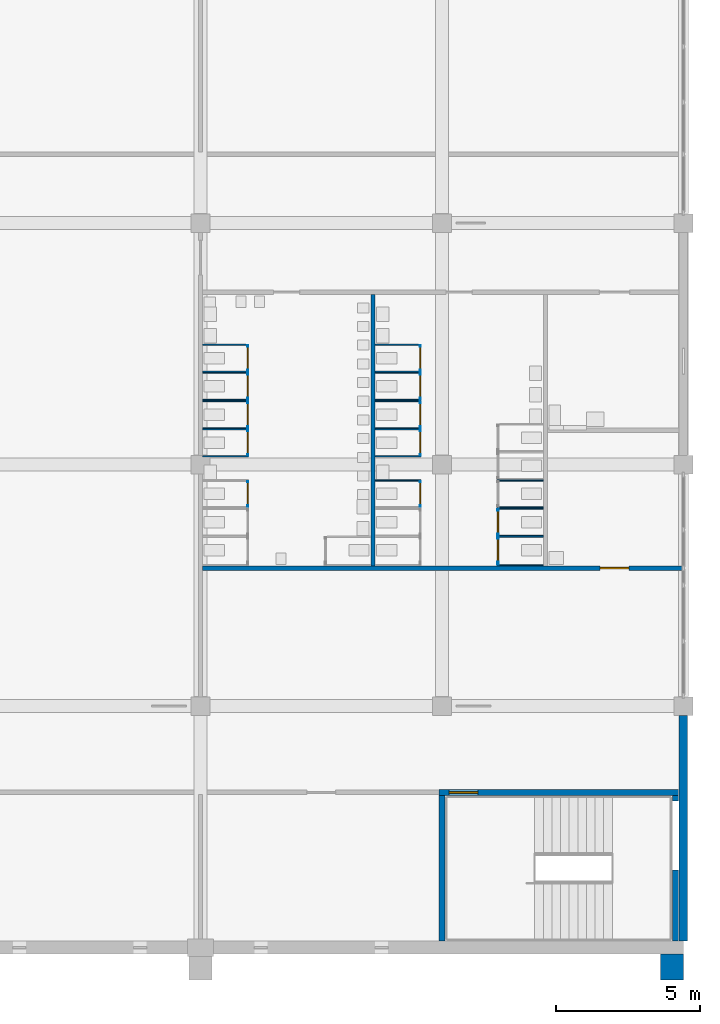
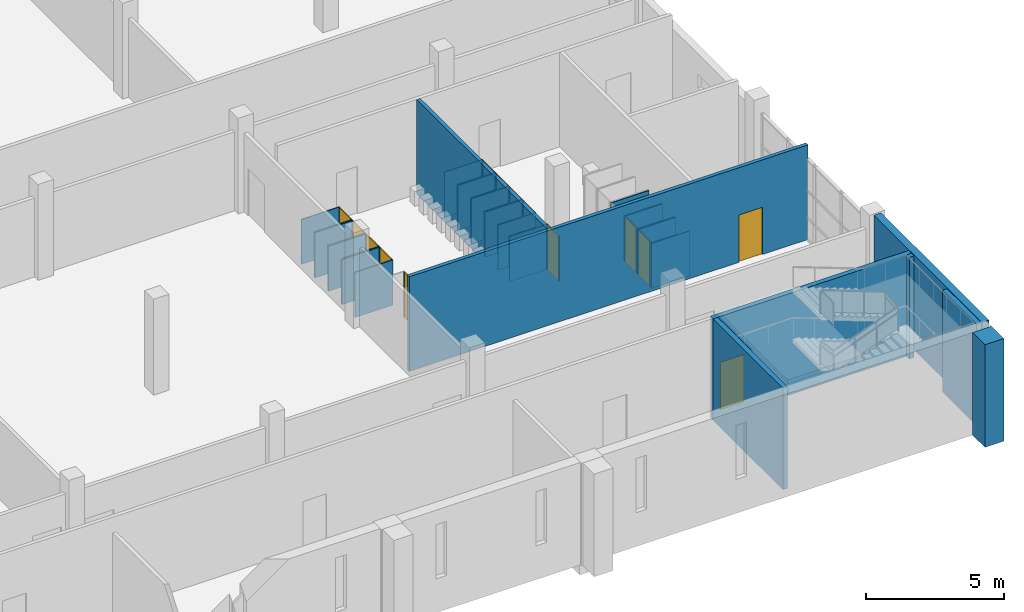
# One storey, part 33 of 64: 43 walls, 14 doors, 14 openings.
"""IFC4 building model written with IfcOpenShell, lengths in metres."""

from ifc_helpers import new_model, si_unit, direction, frame, frame_2d, origin, place, context, subcontext, project, spatial, rectangle, extrude, material, layer, layer_set, type_object, element, fill, save


model = new_model("IFC4")

# Units and contexts
model_context = context("Model", 3, precision=1e-05, world=origin(), true_north=direction((0.0, 1.0)))
body_context = subcontext(model_context, "Body", "Model", "MODEL_VIEW")
ifc_project = project(units=[si_unit("LENGTHUNIT", "METRE"), si_unit("AREAUNIT", "SQUARE_METRE"), si_unit("VOLUMEUNIT", "CUBIC_METRE"), si_unit("PLANEANGLEUNIT", "RADIAN"), si_unit("MASSUNIT", "GRAM", prefix="KILO")], contexts=[model_context])

# Site, building, storey
site_placement = place(None, origin())
site = spatial("IfcSite", under=ifc_project, at=site_placement, CompositionType="ELEMENT")
building_placement = place(site_placement, origin())
building = spatial("IfcBuilding", under=site, at=building_placement, Name="Rulbaag Community and Learning Centre", CompositionType="ELEMENT")
storey_placement = place(building_placement, frame((0.0, 0.0, 5.39990234375)))
storey = spatial("IfcBuildingStorey", under=building, at=storey_placement, Name="L01", CompositionType="ELEMENT", Elevation=5.39990234375)

# Wall, opening, door
ifc_material_1 = material(Name="High pressure laminate", Category="wood")
ifc_layer_1 = layer(ifc_material_1, 0.0400390625)
ifc_layer_set_1 = layer_set([ifc_layer_1], Name="CP-40")
wall_type_1 = type_object("IfcWallType", Name="CP-40", PredefinedType="PARTITIONING", material=ifc_layer_set_1)
wall_1_placement = place(storey_placement, frame((152.85009765625, 15.330078125, 0.0), z_axis=(0.0, 0.0, 1.0), x_axis=(0.0, 1.0, 0.0)))
wall_1 = element("IfcWall", 1, at=wall_1_placement, inside=storey, type_object=wall_type_1, Name="Cubicle partition", PredefinedType="PARTITIONING", context=body_context, shape_type="SweptSolid", body=[
    extrude(rectangle(XDim=0.89990234375, YDim=0.0400390625, at=frame_2d((0.449951171875, 0.0))), origin(), (0.0, 0.0, 1.0), 2.0),
])
opening_1_placement = place(wall_1_placement, frame((0.050048828125, 0.0, 0.0)))
opening_1 = element("IfcOpeningElement", 2, at=opening_1_placement, cuts=wall_1, Name="Opening L01-D117", PredefinedType="OPENING", context=body_context, shape_type="SweptSolid", body=[
    extrude(rectangle(XDim=0.800048828125, YDim=2.0, at=frame_2d((0.39990234375, 1.0))), frame((0.0, 0.030029296875, 0.0), z_axis=(0.0, -1.0, 0.0), x_axis=(1.0, 0.0, 0.0)), (0.0, 0.0, 1.0), 0.06005859375),
])
door_type_1 = type_object("IfcDoorType", Name="DC-80", OperationType="SINGLE_SWING_LEFT", PredefinedType="DOOR", material=ifc_material_1)
door_1_placement = place(opening_1_placement, origin())
door_1 = element("IfcDoor", 3, at=door_1_placement, inside=storey, type_object=door_type_1, Name="Cubicle door", OperationType="SINGLE_SWING_LEFT", OverallHeight=2.0, OverallWidth=0.800048828125, PredefinedType="DOOR", context=body_context, shape_type="SweptSolid", body=[
    extrude(rectangle(XDim=0.800048828125, YDim=2.0, at=frame_2d((0.39990234375, 1.0))), frame((0.0, 0.019775390625, 0.0), z_axis=(0.0, -1.0, 0.0), x_axis=(1.0, 0.0, 0.0)), (0.0, 0.0, 1.0), 0.03955078125),
])
fill(opening_1, door_1)

# Walls
for number, where, z_axis, x_axis, name in (
    (4, (151.27490234375, 17.090087890625, 0.0), (0.0, 0.0, 1.0), (1.0, 0.0, 0.0), "Cubicle partition"),
    (5, (151.27490234375, 18.030029296875, 0.0), (0.0, 0.0, 1.0), (1.0, 0.0, 0.0), "Cubicle partition"),
):
    element("IfcWall", number, at=place(storey_placement, frame(where, z_axis=z_axis, x_axis=x_axis)), inside=storey, type_object=wall_type_1, Name=name, PredefinedType="PARTITIONING", context=body_context, shape_type="SweptSolid", body=[
        extrude(rectangle(XDim=1.59521484375, YDim=0.0400390625, at=frame_2d((0.797607421875, 0.0))), origin(), (0.0, 0.0, 1.0), 2.0),
    ])

# Wall, opening, door
wall_2_placement = place(storey_placement, frame((152.85009765625, 17.110107421875, 0.0), z_axis=(0.0, 0.0, 1.0), x_axis=(0.0, 1.0, 0.0)))
wall_2 = element("IfcWall", 6, at=wall_2_placement, inside=storey, type_object=wall_type_1, Name="Cubicle partition", PredefinedType="PARTITIONING", context=body_context, shape_type="SweptSolid", body=[
    extrude(rectangle(XDim=0.89990234375, YDim=0.0400390625, at=frame_2d((0.449951171875, 0.0))), origin(), (0.0, 0.0, 1.0), 2.0),
])
opening_2_placement = place(wall_2_placement, frame((0.050048828125, 0.0, 0.0)))
opening_2 = element("IfcOpeningElement", 7, at=opening_2_placement, cuts=wall_2, Name="Opening L01-D118", PredefinedType="OPENING", context=body_context, shape_type="SweptSolid", body=[
    extrude(rectangle(XDim=0.800048828125, YDim=2.0, at=frame_2d((0.39990234375, 1.0))), frame((0.0, 0.030029296875, 0.0), z_axis=(0.0, -1.0, 0.0), x_axis=(1.0, 0.0, 0.0)), (0.0, 0.0, 1.0), 0.06005859375),
])
door_2_placement = place(opening_2_placement, origin())
door_2 = element("IfcDoor", 8, at=door_2_placement, inside=storey, type_object=door_type_1, Name="Cubicle door", OperationType="SINGLE_SWING_LEFT", OverallHeight=2.0, OverallWidth=0.800048828125, PredefinedType="DOOR", context=body_context, shape_type="SweptSolid", body=[
    extrude(rectangle(XDim=0.800048828125, YDim=2.0, at=frame_2d((0.39990234375, 1.0))), frame((0.0, 0.019775390625, 0.0), z_axis=(0.0, -1.0, 0.0), x_axis=(1.0, 0.0, 0.0)), (0.0, 0.0, 1.0), 0.03955078125),
])
fill(opening_2, door_2)

# Walls
for number, where, z_axis, x_axis, name in (
    (9, (151.27490234375, 18.070068359375, 0.0), (0.0, 0.0, 1.0), (1.0, 0.0, 0.0), "Cubicle partition"),
    (10, (151.27490234375, 19.010009765625, 0.0), (0.0, 0.0, 1.0), (1.0, 0.0, 0.0), "Cubicle partition"),
):
    element("IfcWall", number, at=place(storey_placement, frame(where, z_axis=z_axis, x_axis=x_axis)), inside=storey, type_object=wall_type_1, Name=name, PredefinedType="PARTITIONING", context=body_context, shape_type="SweptSolid", body=[
        extrude(rectangle(XDim=1.59521484375, YDim=0.0400390625, at=frame_2d((0.797607421875, 0.0))), origin(), (0.0, 0.0, 1.0), 2.0),
    ])

# Wall, opening, door
wall_3_placement = place(storey_placement, frame((152.85009765625, 18.090087890625, 0.0), z_axis=(0.0, 0.0, 1.0), x_axis=(0.0, 1.0, 0.0)))
wall_3 = element("IfcWall", 11, at=wall_3_placement, inside=storey, type_object=wall_type_1, Name="Cubicle partition", PredefinedType="PARTITIONING", context=body_context, shape_type="SweptSolid", body=[
    extrude(rectangle(XDim=0.89990234375, YDim=0.0400390625, at=frame_2d((0.449951171875, 0.0))), origin(), (0.0, 0.0, 1.0), 2.0),
])
opening_3_placement = place(wall_3_placement, frame((0.050048828125, 0.0, 0.0)))
opening_3 = element("IfcOpeningElement", 12, at=opening_3_placement, cuts=wall_3, Name="Opening L01-D119", PredefinedType="OPENING", context=body_context, shape_type="SweptSolid", body=[
    extrude(rectangle(XDim=0.800048828125, YDim=2.0, at=frame_2d((0.39990234375, 1.0))), frame((0.0, 0.030029296875, 0.0), z_axis=(0.0, -1.0, 0.0), x_axis=(1.0, 0.0, 0.0)), (0.0, 0.0, 1.0), 0.06005859375),
])
door_3_placement = place(opening_3_placement, origin())
door_3 = element("IfcDoor", 13, at=door_3_placement, inside=storey, type_object=door_type_1, Name="Cubicle door", OperationType="SINGLE_SWING_LEFT", OverallHeight=2.0, OverallWidth=0.800048828125, PredefinedType="DOOR", context=body_context, shape_type="SweptSolid", body=[
    extrude(rectangle(XDim=0.800048828125, YDim=2.0, at=frame_2d((0.39990234375, 1.0))), frame((0.0, 0.019775390625, 0.0), z_axis=(0.0, -1.0, 0.0), x_axis=(1.0, 0.0, 0.0)), (0.0, 0.0, 1.0), 0.03955078125),
])
fill(opening_3, door_3)

# Walls
for number, where, z_axis, x_axis, name in (
    (14, (151.27490234375, 19.050048828125, 0.0), (0.0, 0.0, 1.0), (1.0, 0.0, 0.0), "Cubicle partition"),
    (15, (151.27490234375, 19.989990234375, 0.0), (0.0, 0.0, 1.0), (1.0, 0.0, 0.0), "Cubicle partition"),
):
    element("IfcWall", number, at=place(storey_placement, frame(where, z_axis=z_axis, x_axis=x_axis)), inside=storey, type_object=wall_type_1, Name=name, PredefinedType="PARTITIONING", context=body_context, shape_type="SweptSolid", body=[
        extrude(rectangle(XDim=1.59521484375, YDim=0.0400390625, at=frame_2d((0.797607421875, 0.0))), origin(), (0.0, 0.0, 1.0), 2.0),
    ])

# Wall, opening, door
wall_4_placement = place(storey_placement, frame((152.85009765625, 19.070068359375, 0.0), z_axis=(0.0, 0.0, 1.0), x_axis=(0.0, 1.0, 0.0)))
wall_4 = element("IfcWall", 16, at=wall_4_placement, inside=storey, type_object=wall_type_1, Name="Cubicle partition", PredefinedType="PARTITIONING", context=body_context, shape_type="SweptSolid", body=[
    extrude(rectangle(XDim=0.89990234375, YDim=0.0400390625, at=frame_2d((0.449951171875, 0.0))), origin(), (0.0, 0.0, 1.0), 2.0),
])
opening_4_placement = place(wall_4_placement, frame((0.050048828125, 0.0, 0.0)))
opening_4 = element("IfcOpeningElement", 17, at=opening_4_placement, cuts=wall_4, Name="Opening L01-D120", PredefinedType="OPENING", context=body_context, shape_type="SweptSolid", body=[
    extrude(rectangle(XDim=0.800048828125, YDim=2.0, at=frame_2d((0.39990234375, 1.0))), frame((0.0, 0.030029296875, 0.0), z_axis=(0.0, -1.0, 0.0), x_axis=(1.0, 0.0, 0.0)), (0.0, 0.0, 1.0), 0.06005859375),
])
door_4_placement = place(opening_4_placement, origin())
door_4 = element("IfcDoor", 18, at=door_4_placement, inside=storey, type_object=door_type_1, Name="Cubicle door", OperationType="SINGLE_SWING_LEFT", OverallHeight=2.0, OverallWidth=0.800048828125, PredefinedType="DOOR", context=body_context, shape_type="SweptSolid", body=[
    extrude(rectangle(XDim=0.800048828125, YDim=2.0, at=frame_2d((0.39990234375, 1.0))), frame((0.0, 0.019775390625, 0.0), z_axis=(0.0, -1.0, 0.0), x_axis=(1.0, 0.0, 0.0)), (0.0, 0.0, 1.0), 0.03955078125),
])
fill(opening_4, door_4)

# Walls
for number, where, z_axis, x_axis, name in (
    (19, (151.27490234375, 20.030029296875, 0.0), (0.0, 0.0, 1.0), (1.0, 0.0, 0.0), "Cubicle partition"),
    (20, (151.27490234375, 20.969970703125, 0.0), (0.0, 0.0, 1.0), (1.0, 0.0, 0.0), "Cubicle partition"),
):
    element("IfcWall", number, at=place(storey_placement, frame(where, z_axis=z_axis, x_axis=x_axis)), inside=storey, type_object=wall_type_1, Name=name, PredefinedType="PARTITIONING", context=body_context, shape_type="SweptSolid", body=[
        extrude(rectangle(XDim=1.59521484375, YDim=0.0400390625, at=frame_2d((0.797607421875, 0.0))), origin(), (0.0, 0.0, 1.0), 2.0),
    ])

# Wall, opening, door
wall_5_placement = place(storey_placement, frame((152.85009765625, 20.050048828125, 0.0), z_axis=(0.0, 0.0, 1.0), x_axis=(0.0, 1.0, 0.0)))
wall_5 = element("IfcWall", 21, at=wall_5_placement, inside=storey, type_object=wall_type_1, Name="Cubicle partition", PredefinedType="PARTITIONING", context=body_context, shape_type="SweptSolid", body=[
    extrude(rectangle(XDim=0.89990234375, YDim=0.0400390625, at=frame_2d((0.449951171875, 0.0))), origin(), (0.0, 0.0, 1.0), 2.0),
])
opening_5_placement = place(wall_5_placement, frame((0.050048828125, 0.0, 0.0)))
opening_5 = element("IfcOpeningElement", 22, at=opening_5_placement, cuts=wall_5, Name="Opening L01-D121", PredefinedType="OPENING", context=body_context, shape_type="SweptSolid", body=[
    extrude(rectangle(XDim=0.800048828125, YDim=2.0, at=frame_2d((0.39990234375, 1.0))), frame((0.0, 0.030029296875, 0.0), z_axis=(0.0, -1.0, 0.0), x_axis=(1.0, 0.0, 0.0)), (0.0, 0.0, 1.0), 0.06005859375),
])
door_5_placement = place(opening_5_placement, origin())
door_5 = element("IfcDoor", 23, at=door_5_placement, inside=storey, type_object=door_type_1, Name="Cubicle door", OperationType="SINGLE_SWING_LEFT", OverallHeight=2.0, OverallWidth=0.800048828125, PredefinedType="DOOR", context=body_context, shape_type="SweptSolid", body=[
    extrude(rectangle(XDim=0.800048828125, YDim=2.0, at=frame_2d((0.39990234375, 1.0))), frame((0.0, 0.019775390625, 0.0), z_axis=(0.0, -1.0, 0.0), x_axis=(1.0, 0.0, 0.0)), (0.0, 0.0, 1.0), 0.03955078125),
])
fill(opening_5, door_5)

# Wall
wall_6_placement = place(storey_placement, frame((157.27490234375, 16.25, 0.0), z_axis=(0.0, 0.0, 1.0), x_axis=(1.0, 0.0, 0.0)))
element("IfcWall", 24, at=wall_6_placement, inside=storey, type_object=wall_type_1, Name="Cubicle partition", PredefinedType="PARTITIONING", context=body_context, shape_type="SweptSolid", body=[
    extrude(rectangle(XDim=1.59521484375, YDim=0.0400390625, at=frame_2d((0.797607421875, 0.0))), origin(), (0.0, 0.0, 1.0), 2.0),
])

# Wall, opening, door
wall_7_placement = place(storey_placement, frame((158.85009765625, 15.330078125, 0.0), z_axis=(0.0, 0.0, 1.0), x_axis=(0.0, 1.0, 0.0)))
wall_7 = element("IfcWall", 25, at=wall_7_placement, inside=storey, type_object=wall_type_1, Name="Cubicle partition", PredefinedType="PARTITIONING", context=body_context, shape_type="SweptSolid", body=[
    extrude(rectangle(XDim=0.89990234375, YDim=0.0400390625, at=frame_2d((0.449951171875, 0.0))), origin(), (0.0, 0.0, 1.0), 2.0),
])
opening_6_placement = place(wall_7_placement, frame((0.050048828125, 0.0, 0.0)))
opening_6 = element("IfcOpeningElement", 26, at=opening_6_placement, cuts=wall_7, Name="Opening L01-D134", PredefinedType="OPENING", context=body_context, shape_type="SweptSolid", body=[
    extrude(rectangle(XDim=0.800048828125, YDim=2.0, at=frame_2d((0.39990234375, 1.0))), frame((0.0, 0.030029296875, 0.0), z_axis=(0.0, -1.0, 0.0), x_axis=(1.0, 0.0, 0.0)), (0.0, 0.0, 1.0), 0.06005859375),
])
door_6_placement = place(opening_6_placement, origin())
door_6 = element("IfcDoor", 27, at=door_6_placement, inside=storey, type_object=door_type_1, Name="Cubicle door", OperationType="SINGLE_SWING_LEFT", OverallHeight=2.0, OverallWidth=0.800048828125, PredefinedType="DOOR", context=body_context, shape_type="SweptSolid", body=[
    extrude(rectangle(XDim=0.800048828125, YDim=2.0, at=frame_2d((0.39990234375, 1.0))), frame((0.0, 0.019775390625, 0.0), z_axis=(0.0, -1.0, 0.0), x_axis=(1.0, 0.0, 0.0)), (0.0, 0.0, 1.0), 0.03955078125),
])
fill(opening_6, door_6)

# Walls
for number, where, z_axis, x_axis, name in (
    (28, (157.27490234375, 17.090087890625, 0.0), (0.0, 0.0, 1.0), (1.0, 0.0, 0.0), "Cubicle partition"),
    (29, (157.27490234375, 18.030029296875, 0.0), (0.0, 0.0, 1.0), (1.0, 0.0, 0.0), "Cubicle partition"),
):
    element("IfcWall", number, at=place(storey_placement, frame(where, z_axis=z_axis, x_axis=x_axis)), inside=storey, type_object=wall_type_1, Name=name, PredefinedType="PARTITIONING", context=body_context, shape_type="SweptSolid", body=[
        extrude(rectangle(XDim=1.59521484375, YDim=0.0400390625, at=frame_2d((0.797607421875, 0.0))), origin(), (0.0, 0.0, 1.0), 2.0),
    ])

# Wall, opening, door
wall_8_placement = place(storey_placement, frame((158.85009765625, 17.110107421875, 0.0), z_axis=(0.0, 0.0, 1.0), x_axis=(0.0, 1.0, 0.0)))
wall_8 = element("IfcWall", 30, at=wall_8_placement, inside=storey, type_object=wall_type_1, Name="Cubicle partition", PredefinedType="PARTITIONING", context=body_context, shape_type="SweptSolid", body=[
    extrude(rectangle(XDim=0.89990234375, YDim=0.0400390625, at=frame_2d((0.449951171875, 0.0))), origin(), (0.0, 0.0, 1.0), 2.0),
])
opening_7_placement = place(wall_8_placement, frame((0.050048828125, 0.0, 0.0)))
opening_7 = element("IfcOpeningElement", 31, at=opening_7_placement, cuts=wall_8, Name="Opening L01-D135", PredefinedType="OPENING", context=body_context, shape_type="SweptSolid", body=[
    extrude(rectangle(XDim=0.800048828125, YDim=2.0, at=frame_2d((0.39990234375, 1.0))), frame((0.0, 0.030029296875, 0.0), z_axis=(0.0, -1.0, 0.0), x_axis=(1.0, 0.0, 0.0)), (0.0, 0.0, 1.0), 0.06005859375),
])
door_7_placement = place(opening_7_placement, origin())
door_7 = element("IfcDoor", 32, at=door_7_placement, inside=storey, type_object=door_type_1, Name="Cubicle door", OperationType="SINGLE_SWING_LEFT", OverallHeight=2.0, OverallWidth=0.800048828125, PredefinedType="DOOR", context=body_context, shape_type="SweptSolid", body=[
    extrude(rectangle(XDim=0.800048828125, YDim=2.0, at=frame_2d((0.39990234375, 1.0))), frame((0.0, 0.019775390625, 0.0), z_axis=(0.0, -1.0, 0.0), x_axis=(1.0, 0.0, 0.0)), (0.0, 0.0, 1.0), 0.03955078125),
])
fill(opening_7, door_7)

# Walls
for number, where, z_axis, x_axis, name in (
    (33, (157.27490234375, 18.070068359375, 0.0), (0.0, 0.0, 1.0), (1.0, 0.0, 0.0), "Cubicle partition"),
    (34, (157.27490234375, 19.010009765625, 0.0), (0.0, 0.0, 1.0), (1.0, 0.0, 0.0), "Cubicle partition"),
):
    element("IfcWall", number, at=place(storey_placement, frame(where, z_axis=z_axis, x_axis=x_axis)), inside=storey, type_object=wall_type_1, Name=name, PredefinedType="PARTITIONING", context=body_context, shape_type="SweptSolid", body=[
        extrude(rectangle(XDim=1.59521484375, YDim=0.0400390625, at=frame_2d((0.797607421875, 0.0))), origin(), (0.0, 0.0, 1.0), 2.0),
    ])

# Wall, opening, door
wall_9_placement = place(storey_placement, frame((158.85009765625, 18.090087890625, 0.0), z_axis=(0.0, 0.0, 1.0), x_axis=(0.0, 1.0, 0.0)))
wall_9 = element("IfcWall", 35, at=wall_9_placement, inside=storey, type_object=wall_type_1, Name="Cubicle partition", PredefinedType="PARTITIONING", context=body_context, shape_type="SweptSolid", body=[
    extrude(rectangle(XDim=0.89990234375, YDim=0.0400390625, at=frame_2d((0.449951171875, 0.0))), origin(), (0.0, 0.0, 1.0), 2.0),
])
opening_8_placement = place(wall_9_placement, frame((0.050048828125, 0.0, 0.0)))
opening_8 = element("IfcOpeningElement", 36, at=opening_8_placement, cuts=wall_9, Name="Opening L01-D136", PredefinedType="OPENING", context=body_context, shape_type="SweptSolid", body=[
    extrude(rectangle(XDim=0.800048828125, YDim=2.0, at=frame_2d((0.39990234375, 1.0))), frame((0.0, 0.030029296875, 0.0), z_axis=(0.0, -1.0, 0.0), x_axis=(1.0, 0.0, 0.0)), (0.0, 0.0, 1.0), 0.06005859375),
])
door_8_placement = place(opening_8_placement, origin())
door_8 = element("IfcDoor", 37, at=door_8_placement, inside=storey, type_object=door_type_1, Name="Cubicle door", OperationType="SINGLE_SWING_LEFT", OverallHeight=2.0, OverallWidth=0.800048828125, PredefinedType="DOOR", context=body_context, shape_type="SweptSolid", body=[
    extrude(rectangle(XDim=0.800048828125, YDim=2.0, at=frame_2d((0.39990234375, 1.0))), frame((0.0, 0.019775390625, 0.0), z_axis=(0.0, -1.0, 0.0), x_axis=(1.0, 0.0, 0.0)), (0.0, 0.0, 1.0), 0.03955078125),
])
fill(opening_8, door_8)

# Walls
for number, where, z_axis, x_axis, name in (
    (38, (157.27490234375, 19.050048828125, 0.0), (0.0, 0.0, 1.0), (1.0, 0.0, 0.0), "Cubicle partition"),
    (39, (157.27490234375, 19.989990234375, 0.0), (0.0, 0.0, 1.0), (1.0, 0.0, 0.0), "Cubicle partition"),
):
    element("IfcWall", number, at=place(storey_placement, frame(where, z_axis=z_axis, x_axis=x_axis)), inside=storey, type_object=wall_type_1, Name=name, PredefinedType="PARTITIONING", context=body_context, shape_type="SweptSolid", body=[
        extrude(rectangle(XDim=1.59521484375, YDim=0.0400390625, at=frame_2d((0.797607421875, 0.0))), origin(), (0.0, 0.0, 1.0), 2.0),
    ])

# Wall, opening, door
wall_10_placement = place(storey_placement, frame((158.85009765625, 19.070068359375, 0.0), z_axis=(0.0, 0.0, 1.0), x_axis=(0.0, 1.0, 0.0)))
wall_10 = element("IfcWall", 40, at=wall_10_placement, inside=storey, type_object=wall_type_1, Name="Cubicle partition", PredefinedType="PARTITIONING", context=body_context, shape_type="SweptSolid", body=[
    extrude(rectangle(XDim=0.89990234375, YDim=0.0400390625, at=frame_2d((0.449951171875, 0.0))), origin(), (0.0, 0.0, 1.0), 2.0),
])
opening_9_placement = place(wall_10_placement, frame((0.050048828125, 0.0, 0.0)))
opening_9 = element("IfcOpeningElement", 41, at=opening_9_placement, cuts=wall_10, Name="Opening L01-D137", PredefinedType="OPENING", context=body_context, shape_type="SweptSolid", body=[
    extrude(rectangle(XDim=0.800048828125, YDim=2.0, at=frame_2d((0.39990234375, 1.0))), frame((0.0, 0.030029296875, 0.0), z_axis=(0.0, -1.0, 0.0), x_axis=(1.0, 0.0, 0.0)), (0.0, 0.0, 1.0), 0.06005859375),
])
door_9_placement = place(opening_9_placement, origin())
door_9 = element("IfcDoor", 42, at=door_9_placement, inside=storey, type_object=door_type_1, Name="Cubicle door", OperationType="SINGLE_SWING_LEFT", OverallHeight=2.0, OverallWidth=0.800048828125, PredefinedType="DOOR", context=body_context, shape_type="SweptSolid", body=[
    extrude(rectangle(XDim=0.800048828125, YDim=2.0, at=frame_2d((0.39990234375, 1.0))), frame((0.0, 0.019775390625, 0.0), z_axis=(0.0, -1.0, 0.0), x_axis=(1.0, 0.0, 0.0)), (0.0, 0.0, 1.0), 0.03955078125),
])
fill(opening_9, door_9)

# Walls
for number, where, z_axis, x_axis, name in (
    (43, (157.27490234375, 20.030029296875, 0.0), (0.0, 0.0, 1.0), (1.0, 0.0, 0.0), "Cubicle partition"),
    (44, (157.27490234375, 20.969970703125, 0.0), (0.0, 0.0, 1.0), (1.0, 0.0, 0.0), "Cubicle partition"),
):
    element("IfcWall", number, at=place(storey_placement, frame(where, z_axis=z_axis, x_axis=x_axis)), inside=storey, type_object=wall_type_1, Name=name, PredefinedType="PARTITIONING", context=body_context, shape_type="SweptSolid", body=[
        extrude(rectangle(XDim=1.59521484375, YDim=0.0400390625, at=frame_2d((0.797607421875, 0.0))), origin(), (0.0, 0.0, 1.0), 2.0),
    ])

# Wall, opening, door
wall_11_placement = place(storey_placement, frame((158.85009765625, 20.050048828125, 0.0), z_axis=(0.0, 0.0, 1.0), x_axis=(0.0, 1.0, 0.0)))
wall_11 = element("IfcWall", 45, at=wall_11_placement, inside=storey, type_object=wall_type_1, Name="Cubicle partition", PredefinedType="PARTITIONING", context=body_context, shape_type="SweptSolid", body=[
    extrude(rectangle(XDim=0.89990234375, YDim=0.0400390625, at=frame_2d((0.449951171875, 0.0))), origin(), (0.0, 0.0, 1.0), 2.0),
])
opening_10_placement = place(wall_11_placement, frame((0.050048828125, 0.0, 0.0)))
opening_10 = element("IfcOpeningElement", 46, at=opening_10_placement, cuts=wall_11, Name="Opening L01-D138", PredefinedType="OPENING", context=body_context, shape_type="SweptSolid", body=[
    extrude(rectangle(XDim=0.800048828125, YDim=2.0, at=frame_2d((0.39990234375, 1.0))), frame((0.0, 0.030029296875, 0.0), z_axis=(0.0, -1.0, 0.0), x_axis=(1.0, 0.0, 0.0)), (0.0, 0.0, 1.0), 0.06005859375),
])
door_10_placement = place(opening_10_placement, origin())
door_10 = element("IfcDoor", 47, at=door_10_placement, inside=storey, type_object=door_type_1, Name="Cubicle door", OperationType="SINGLE_SWING_LEFT", OverallHeight=2.0, OverallWidth=0.800048828125, PredefinedType="DOOR", context=body_context, shape_type="SweptSolid", body=[
    extrude(rectangle(XDim=0.800048828125, YDim=2.0, at=frame_2d((0.39990234375, 1.0))), frame((0.0, 0.019775390625, 0.0), z_axis=(0.0, -1.0, 0.0), x_axis=(1.0, 0.0, 0.0)), (0.0, 0.0, 1.0), 0.03955078125),
])
fill(opening_10, door_10)

# Walls
for number, where, z_axis, x_axis, name in (
    (48, (163.125, 13.294921875, 0.0), (0.0, 0.0, 1.0), (-1.0, 0.0, 0.0), "Cubicle partition"),
    (49, (163.125, 14.2900390625, 0.0), (0.0, 0.0, 1.0), (-1.0, 0.0, 0.0), "Cubicle partition"),
):
    element("IfcWall", number, at=place(storey_placement, frame(where, z_axis=z_axis, x_axis=x_axis)), inside=storey, type_object=wall_type_1, Name=name, PredefinedType="PARTITIONING", context=body_context, shape_type="SweptSolid", body=[
        extrude(rectangle(XDim=1.594970703125, YDim=0.0400390625, at=frame_2d((0.79736328125, 0.0))), origin(), (0.0, 0.0, 1.0), 2.0),
    ])

# Wall, opening, door
wall_12_placement = place(storey_placement, frame((161.550048828125, 13.31494140625, 0.0), z_axis=(0.0, 0.0, 1.0), x_axis=(0.0, 1.0, 0.0)))
wall_12 = element("IfcWall", 50, at=wall_12_placement, inside=storey, type_object=wall_type_1, Name="Cubicle partition", PredefinedType="PARTITIONING", context=body_context, shape_type="SweptSolid", body=[
    extrude(rectangle(XDim=0.955078125, YDim=0.0400390625, at=frame_2d((0.4775390625, 0.0))), origin(), (0.0, 0.0, 1.0), 2.0),
])
opening_11_placement = place(wall_12_placement, frame((0.10498046875, 0.0, 0.0)))
opening_11 = element("IfcOpeningElement", 51, at=opening_11_placement, cuts=wall_12, Name="Opening L01-D145", PredefinedType="OPENING", context=body_context, shape_type="SweptSolid", body=[
    extrude(rectangle(XDim=0.800048828125, YDim=2.0, at=frame_2d((0.39990234375, 1.0))), frame((0.0, 0.030029296875, 0.0), z_axis=(0.0, -1.0, 0.0), x_axis=(1.0, 0.0, 0.0)), (0.0, 0.0, 1.0), 0.06005859375),
])
door_11_placement = place(opening_11_placement, origin())
door_11 = element("IfcDoor", 52, at=door_11_placement, inside=storey, type_object=door_type_1, Name="Cubicle door", OperationType="SINGLE_SWING_LEFT", OverallHeight=2.0, OverallWidth=0.800048828125, PredefinedType="DOOR", context=body_context, shape_type="SweptSolid", body=[
    extrude(rectangle(XDim=0.800048828125, YDim=2.0, at=frame_2d((0.39990234375, 1.0))), frame((0.0, 0.019775390625, 0.0), z_axis=(0.0, -1.0, 0.0), x_axis=(1.0, 0.0, 0.0)), (0.0, 0.0, 1.0), 0.03955078125),
])
fill(opening_11, door_11)

# Walls
for number, where, z_axis, x_axis, name in (
    (53, (163.125, 14.330078125, 0.0), (0.0, 0.0, 1.0), (-1.0, 0.0, 0.0), "Cubicle partition"),
    (54, (163.125, 15.27001953125, 0.0), (0.0, 0.0, 1.0), (-1.0, 0.0, 0.0), "Cubicle partition"),
):
    element("IfcWall", number, at=place(storey_placement, frame(where, z_axis=z_axis, x_axis=x_axis)), inside=storey, type_object=wall_type_1, Name=name, PredefinedType="PARTITIONING", context=body_context, shape_type="SweptSolid", body=[
        extrude(rectangle(XDim=1.594970703125, YDim=0.0400390625, at=frame_2d((0.79736328125, 0.0))), origin(), (0.0, 0.0, 1.0), 2.0),
    ])

# Wall, opening, door
wall_13_placement = place(storey_placement, frame((161.550048828125, 14.35009765625, 0.0), z_axis=(0.0, 0.0, 1.0), x_axis=(0.0, 1.0, 0.0)))
wall_13 = element("IfcWall", 55, at=wall_13_placement, inside=storey, type_object=wall_type_1, Name="Cubicle partition", PredefinedType="PARTITIONING", context=body_context, shape_type="SweptSolid", body=[
    extrude(rectangle(XDim=0.89990234375, YDim=0.0400390625, at=frame_2d((0.449951171875, 0.0))), origin(), (0.0, 0.0, 1.0), 2.0),
])
opening_12_placement = place(wall_13_placement, frame((0.050048828125, 0.0, 0.0)))
opening_12 = element("IfcOpeningElement", 56, at=opening_12_placement, cuts=wall_13, Name="Opening L01-D146", PredefinedType="OPENING", context=body_context, shape_type="SweptSolid", body=[
    extrude(rectangle(XDim=0.800048828125, YDim=2.0, at=frame_2d((0.39990234375, 1.0))), frame((0.0, 0.030029296875, 0.0), z_axis=(0.0, -1.0, 0.0), x_axis=(1.0, 0.0, 0.0)), (0.0, 0.0, 1.0), 0.06005859375),
])
door_12_placement = place(opening_12_placement, origin())
door_12 = element("IfcDoor", 57, at=door_12_placement, inside=storey, type_object=door_type_1, Name="Cubicle door", OperationType="SINGLE_SWING_LEFT", OverallHeight=2.0, OverallWidth=0.800048828125, PredefinedType="DOOR", context=body_context, shape_type="SweptSolid", body=[
    extrude(rectangle(XDim=0.800048828125, YDim=2.0, at=frame_2d((0.39990234375, 1.0))), frame((0.0, 0.019775390625, 0.0), z_axis=(0.0, -1.0, 0.0), x_axis=(1.0, 0.0, 0.0)), (0.0, 0.0, 1.0), 0.03955078125),
])
fill(opening_12, door_12)

# Walls
for number, where, z_axis, x_axis, name in (
    (58, (163.125, 15.31005859375, 0.0), (0.0, 0.0, 1.0), (-1.0, 0.0, 0.0), "Cubicle partition"),
    (59, (163.125, 16.25, 0.0), (0.0, 0.0, 1.0), (-1.0, 0.0, 0.0), "Cubicle partition"),
):
    element("IfcWall", number, at=place(storey_placement, frame(where, z_axis=z_axis, x_axis=x_axis)), inside=storey, type_object=wall_type_1, Name=name, PredefinedType="PARTITIONING", context=body_context, shape_type="SweptSolid", body=[
        extrude(rectangle(XDim=1.594970703125, YDim=0.0400390625, at=frame_2d((0.79736328125, 0.0))), origin(), (0.0, 0.0, 1.0), 2.0),
    ])
ifc_material_2 = material(Name="Concrete M40", Category="concrete")
ifc_layer_2 = layer(ifc_material_2, 0.800048828125)
ifc_layer_set_2 = layer_set([ifc_layer_2], Name="EW-BTR")
wall_type_2 = type_object("IfcWallType", Name="EW-BTR", PredefinedType="SOLIDWALL", material=ifc_layer_set_2)
wall_14_placement = place(storey_placement, frame((167.60009765625, -0.22509765625, -0.2998046875), z_axis=(0.0, 0.0, 1.0), x_axis=(0.0, -1.0, 0.0)))
element("IfcWall", 60, at=wall_14_placement, inside=storey, type_object=wall_type_2, Name="Buttress pier", PredefinedType="SOLIDWALL", context=body_context, shape_type="SweptSolid", body=[
    extrude(rectangle(XDim=0.89990234375, YDim=0.800048828125, at=frame_2d((0.449951171875, 0.0))), origin(), (0.0, 0.0, 1.0), 4.5498046875),
])
ifc_layer_3 = layer(ifc_material_2, 0.300048828125)
ifc_layer_set_3 = layer_set([ifc_layer_3], Name="EW-CONC300")
wall_type_3 = type_object("IfcWallType", Name="EW-CONC300", PredefinedType="STANDARD", material=ifc_layer_set_3)
wall_15_placement = place(storey_placement, frame((168.0, 0.22509765625, 0.0), z_axis=(0.0, 0.0, 1.0), x_axis=(0.0, 1.0, 0.0)))
element("IfcWall", 61, at=wall_15_placement, inside=storey, type_object=wall_type_3, Name="Board-marked concrete cladding wall AE", PredefinedType="STANDARD", context=body_context, shape_type="SweptSolid", body=[
    extrude(rectangle(XDim=7.849853515625, YDim=0.300048828125, at=frame_2d((3.9248046875, 0.0))), origin(), (0.0, 0.0, 1.0), 4.2001953125),
])

# Wall, opening, door
ifc_material_3 = material(Name="Concrete blockwork", Category="masonry")
ifc_layer_4 = layer(ifc_material_3, 0.14990234375)
ifc_layer_set_4 = layer_set([ifc_layer_4], Name="IP-150 PARTITION 150")
wall_type_4 = type_object("IfcWallType", Name="IP-150 PARTITION 150", PredefinedType="PARTITIONING", material=ifc_layer_set_4)
wall_16_placement = place(storey_placement, frame((151.27490234375, 13.199951171875, 0.0), z_axis=(0.0, 0.0, 1.0), x_axis=(1.0, 0.0, 0.0)))
wall_16 = element("IfcWall", 62, at=wall_16_placement, inside=storey, type_object=wall_type_4, Name="Partition L01 8", PredefinedType="PARTITIONING", context=body_context, shape_type="SweptSolid", body=[
    extrude(rectangle(XDim=16.72509765625, YDim=0.14990234375, at=frame_2d((8.362548828125, 0.0))), origin(), (0.0, 0.0, 1.0), 4.2001953125),
])
opening_13_placement = place(wall_16_placement, frame((13.824951171875, 0.0, 0.0)))
opening_13 = element("IfcOpeningElement", 63, at=opening_13_placement, cuts=wall_16, Name="Opening L01-D160", PredefinedType="OPENING", context=body_context, shape_type="SweptSolid", body=[
    extrude(rectangle(XDim=1.0, YDim=2.10009765625, at=frame_2d((0.5, 1.050048828125))), frame((0.0, 0.0849609375, 0.0), z_axis=(0.0, -1.0, 0.0), x_axis=(1.0, 0.0, 0.0)), (0.0, 0.0, 1.0), 0.169921875),
])
ifc_material_4 = material(Name="Timber", Category="wood")
door_type_2 = type_object("IfcDoorType", Name="D-1000 DOOR 1000 x 2100", OperationType="SINGLE_SWING_LEFT", PredefinedType="DOOR", material=ifc_material_4)
door_13_placement = place(opening_13_placement, origin())
door_13 = element("IfcDoor", 64, at=door_13_placement, inside=storey, type_object=door_type_2, Name="Door L01-D160", OperationType="SINGLE_SWING_RIGHT", OverallHeight=2.10009765625, OverallWidth=1.0, PredefinedType="DOOR", context=body_context, shape_type="SweptSolid", body=[
    extrude(rectangle(XDim=1.0, YDim=2.10009765625, at=frame_2d((0.5, 1.050048828125))), frame((0.0, 0.02490234375, 0.0), z_axis=(0.0, -1.0, 0.0), x_axis=(1.0, 0.0, 0.0)), (0.0, 0.0, 1.0), 0.050048828125),
])
fill(opening_13, door_13)

# Wall
wall_17_placement = place(storey_placement, frame((157.199951171875, 13.27490234375, 0.0), z_axis=(0.0, 0.0, 1.0), x_axis=(0.0, 1.0, 0.0)))
element("IfcWall", 65, at=wall_17_placement, inside=storey, type_object=wall_type_4, Name="Partition L01 87", PredefinedType="PARTITIONING", context=body_context, shape_type="SweptSolid", body=[
    extrude(rectangle(XDim=9.4501953125, YDim=0.14990234375, at=frame_2d((4.72509765625, 0.0))), origin(), (0.0, 0.0, 1.0), 4.2001953125),
])

# Wall, opening, door
ifc_layer_5 = layer(ifc_material_2, 0.199951171875)
ifc_layer_set_5 = layer_set([ifc_layer_5], Name="WSE Stair enclosure wall 200 Concrete M40")
wall_type_5 = type_object("IfcWallType", Name="WSE Stair enclosure wall 200 Concrete M40", PredefinedType="SHEAR", material=ifc_layer_set_5)
wall_18_placement = place(storey_placement, frame((159.5, 5.39990234375, -0.2998046875), z_axis=(0.0, 0.0, 1.0), x_axis=(1.0, 0.0, 0.0)))
wall_18 = element("IfcWall", 66, at=wall_18_placement, inside=storey, type_object=wall_type_5, Name="Stair enclosure wall SH10 N L01", PredefinedType="SHEAR", context=body_context, shape_type="SweptSolid", body=[
    extrude(rectangle(XDim=8.324951171875, YDim=0.199951171875, at=frame_2d((4.16259765625, 0.0))), origin(), (0.0, 0.0, 1.0), 4.5),
])
opening_14_placement = place(wall_18_placement, frame((0.35009765625, 0.0, 0.300048828125)))
opening_14 = element("IfcOpeningElement", 67, at=opening_14_placement, cuts=wall_18, Name="Opening L01-D140", PredefinedType="OPENING", context=body_context, shape_type="SweptSolid", body=[
    extrude(rectangle(XDim=1.0, YDim=2.10009765625, at=frame_2d((0.5, 1.050048828125))), frame((0.0, 0.10986328125, 0.0), z_axis=(0.0, -1.0, 0.0), x_axis=(1.0, 0.0, 0.0)), (0.0, 0.0, 1.0), 0.219970703125),
])
ifc_material_5 = material(Name="Galvanised steel", Category="steel")
door_type_3 = type_object("IfcDoorType", Name="FD-1000 FIRE DOOR 1000 x 2100", OperationType="SINGLE_SWING_LEFT", PredefinedType="DOOR", material=ifc_material_5)
door_14_placement = place(opening_14_placement, origin())
door_14 = element("IfcDoor", 68, at=door_14_placement, inside=storey, type_object=door_type_3, Name="Door L01-D140", OperationType="SINGLE_SWING_LEFT", OverallHeight=2.10009765625, OverallWidth=1.0, PredefinedType="DOOR", context=body_context, shape_type="SweptSolid", body=[
    extrude(rectangle(XDim=1.0, YDim=2.10009765625, at=frame_2d((0.5, 1.050048828125))), frame((0.0, 0.02490234375, 0.0), z_axis=(0.0, -1.0, 0.0), x_axis=(1.0, 0.0, 0.0)), (0.0, 0.0, 1.0), 0.050048828125),
])
fill(opening_14, door_14)

# Walls
wall_19_placement = place(storey_placement, frame((159.60009765625, 0.22509765625, -0.2998046875), z_axis=(0.0, 0.0, 1.0), x_axis=(0.0, 1.0, 0.0)))
element("IfcWall", 69, at=wall_19_placement, inside=storey, type_object=wall_type_5, Name="Stair enclosure wall SH10 W L01", PredefinedType="SHEAR", context=body_context, shape_type="SweptSolid", body=[
    extrude(rectangle(XDim=5.074951171875, YDim=0.199951171875, at=frame_2d((2.53759765625, 0.0))), origin(), (0.0, 0.0, 1.0), 4.5),
])
wall_20_placement = place(storey_placement, frame((167.72509765625, 0.22509765625, -0.2998046875), z_axis=(0.0, 0.0, 1.0), x_axis=(0.0, 1.0, 0.0)))
element("IfcWall", 70, at=wall_20_placement, inside=storey, type_object=wall_type_5, Name="Stair enclosure wall SH10 E L01", PredefinedType="SHEAR", context=body_context, shape_type="SweptSolid", body=[
    extrude(rectangle(XDim=2.474853515625, YDim=0.199951171875, at=frame_2d((1.2373046875, 0.0))), origin(), (0.0, 0.0, 1.0), 4.5),
])
wall_21_placement = place(storey_placement, frame((167.72509765625, 5.10009765625, -0.2998046875), z_axis=(0.0, 0.0, 1.0), x_axis=(0.0, 1.0, 0.0)))
element("IfcWall", 71, at=wall_21_placement, inside=storey, type_object=wall_type_5, Name="Stair enclosure wall SH10 E L01", PredefinedType="SHEAR", context=body_context, shape_type="SweptSolid", body=[
    extrude(rectangle(XDim=0.199951171875, YDim=0.199951171875, at=frame_2d((0.10009765625, 0.0))), origin(), (0.0, 0.0, 1.0), 4.5),
])

save(model, "model.ifc")
